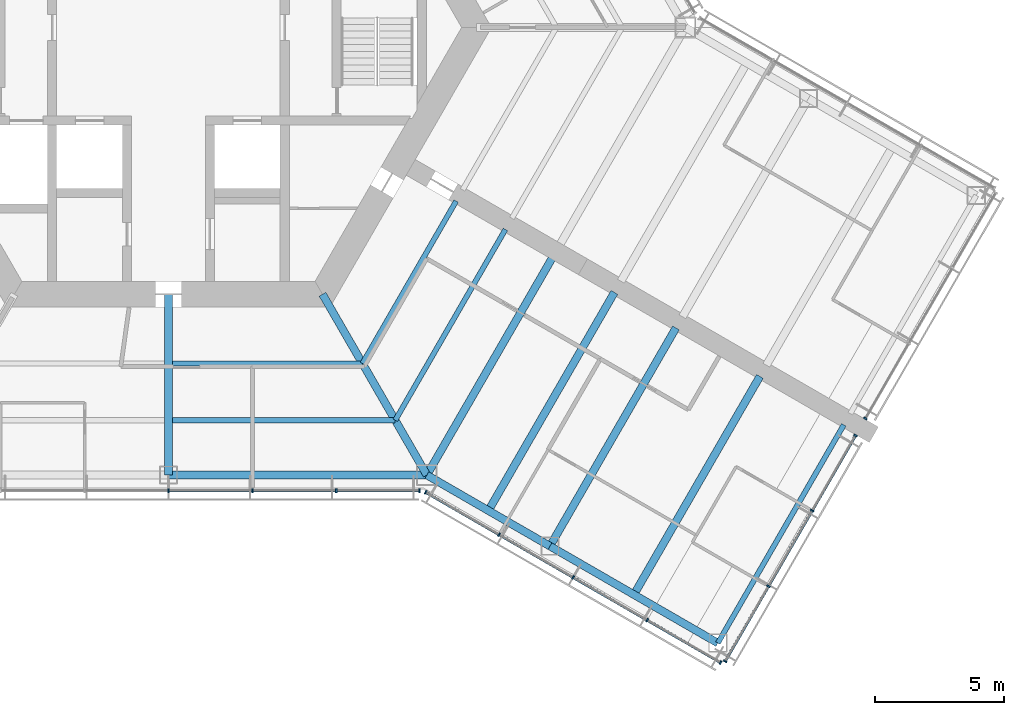
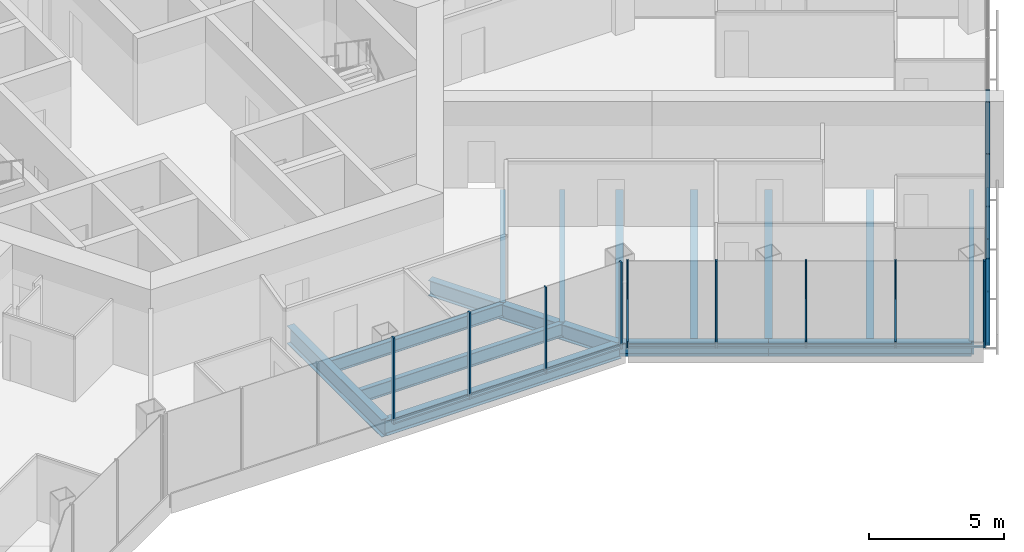
# One storey, part 5 of 18: 24 members, 14 beams, 4 elements without a shape of their own.
"""IFC4 building model written with IfcOpenShell, lengths in metres."""

import ifcopenshell
import ifcopenshell.guid

model = None  # the IFC model being written
_history = None  # IfcOwnerHistory: only IFC2X3 demands one
_inside = {}  # id of a spatial element -> (the spatial element, [elements in it])
_under = {}  # id of a project, library or spatial element -> (it, [spatial elements below it])
_declared = {}  # id of a project -> (the project, [libraries it declares])
_typed = {}  # id of a type object -> (the type object, [elements of that type])
_made_of = {}  # id of a material, layer set ... -> (it, [elements and type objects made of it])


def new_model(schema):
    """Start an empty IFC model of exactly this schema.

    Asked for "IFC4X3", IfcOpenShell would pick the latest addendum, in which some entities
    have other attributes; the version numbers below select the first issue.
    IFC2X3 requires an IfcOwnerHistory on every rooted entity: one is made here for all.
    """
    global model, _history
    if schema == "IFC4X3":
        model = ifcopenshell.file(schema_version=(4, 3, 0, 0))
    else:
        model = ifcopenshell.file(schema=schema)
    _inside.clear()
    _under.clear()
    _declared.clear()
    _typed.clear()
    _made_of.clear()
    _history = None
    if model.schema == "IFC2X3":
        org = make("IfcOrganization", Name="unknown")
        user = make(
            "IfcPersonAndOrganization",
            ThePerson=make("IfcPerson", FamilyName="unknown"),
            TheOrganization=org,
        )
        app = make(
            "IfcApplication",
            ApplicationDeveloper=org,
            Version="unknown",
            ApplicationFullName="unknown",
            ApplicationIdentifier="unknown",
        )
        _history = make(
            "IfcOwnerHistory",
            OwningUser=user,
            OwningApplication=app,
            ChangeAction="ADDED",
            CreationDate=0,
        )
    return model


def make(cls, **values):
    """One entity of the class cls with the attributes given. An attribute that is None is left unset."""
    return model.create_entity(
        cls, **{name: value for name, value in values.items() if value is not None}
    )


def rooted(cls, **values):
    """An entity with a GlobalId (a new one), such as an element, a storey or a relation."""
    return make(cls, GlobalId=ifcopenshell.guid.new(), OwnerHistory=_history, **values)


def si_unit(unit_type, name, prefix=None):
    """IfcSIUnit, for example si_unit("LENGTHUNIT", "METRE", prefix="MILLI")."""
    return make("IfcSIUnit", UnitType=unit_type, Prefix=prefix, Name=name)


def assignment(units):
    """IfcUnitAssignment: the units of a project."""
    return None if units is None else make("IfcUnitAssignment", Units=units)


def point(xyz):
    """IfcCartesianPoint."""
    return None if xyz is None else make("IfcCartesianPoint", Coordinates=xyz)


def direction(xyz):
    """IfcDirection."""
    return None if xyz is None else make("IfcDirection", DirectionRatios=xyz)


def frame(location, z_axis=None, x_axis=None):
    """IfcAxis2Placement3D, a coordinate frame: its origin and axes. An axis left out is left unset."""
    return make(
        "IfcAxis2Placement3D",
        Location=point(location),
        Axis=direction(z_axis),
        RefDirection=direction(x_axis),
    )


def frame_2d(location, x_axis=None):
    """IfcAxis2Placement2D, a coordinate frame in the plane: its origin and x axis."""
    return make(
        "IfcAxis2Placement2D", Location=point(location), RefDirection=direction(x_axis)
    )


def origin():
    """The frame at (0, 0, 0) with its axes left unset."""
    return frame((0.0, 0.0, 0.0))


def origin_2d():
    """The frame at (0, 0) in the plane with its x axis left unset."""
    return frame_2d((0.0, 0.0))


def place(relative_to, where):
    """IfcLocalPlacement: puts the frame where relative to a parent placement (None: the world)."""
    return make(
        "IfcLocalPlacement", PlacementRelTo=relative_to, RelativePlacement=where
    )


def context(
    kind, dimensions, precision=None, world=None, true_north=None, identifier=None
):
    """IfcGeometricRepresentationContext, for example the 3D "Model" context."""
    return make(
        "IfcGeometricRepresentationContext",
        ContextIdentifier=identifier,
        ContextType=kind,
        CoordinateSpaceDimension=dimensions,
        Precision=precision,
        WorldCoordinateSystem=world,
        TrueNorth=true_north,
    )


def subcontext(parent, identifier, kind, view, scale=None):
    """IfcGeometricRepresentationSubContext, for example "Body" below "Model"."""
    return make(
        "IfcGeometricRepresentationSubContext",
        ContextIdentifier=identifier,
        ContextType=kind,
        ParentContext=parent,
        TargetScale=scale,
        TargetView=view,
    )


def project(units=None, contexts=None):
    """IfcProject with its units and contexts."""
    return rooted(
        "IfcProject",
        Name="project",
        RepresentationContexts=contexts,
        UnitsInContext=assignment(units),
    )


def spatial(cls, under=None, at=None, **own):
    """A site, building, storey or space (cls), placed at a placement, below another one or the project."""
    s = rooted(cls, ObjectPlacement=at, **own)
    if under is not None:
        _under.setdefault(under.id(), (under, []))[1].append(s)
    return s


def profile(cls, at=None, kind="AREA", **sizes):
    """A parametric profile (cls). Its sizes go by their IFC names, for example OverallWidth=200.0."""
    return make(cls, ProfileType=kind, Position=at, **sizes)


def rectangle(**sizes):
    """IfcRectangleProfileDef."""
    return profile("IfcRectangleProfileDef", **sizes)


def i_section(**sizes):
    """IfcIShapeProfileDef."""
    return profile("IfcIShapeProfileDef", **sizes)


def extrude(swept, where, along, depth):
    """IfcExtrudedAreaSolid: the profile swept, set in the frame where, extruded along a direction by depth."""
    return make(
        "IfcExtrudedAreaSolid",
        SweptArea=swept,
        Position=where,
        ExtrudedDirection=direction(along),
        Depth=depth,
    )


def shape(context_of_items, identifier, shape_type, items):
    """IfcShapeRepresentation: the items that make up one representation, for example the "Body"."""
    return make(
        "IfcShapeRepresentation",
        ContextOfItems=context_of_items,
        RepresentationIdentifier=identifier,
        RepresentationType=shape_type,
        Items=items,
    )


def material(Name=None, Category=None):
    """IfcMaterial."""
    return make("IfcMaterial", Name=Name, Category=Category)


def material_profile(
    of_material, cross_section, Name=None, Category=None, Priority=None
):
    """IfcMaterialProfile: a cross section and its material."""
    return make(
        "IfcMaterialProfile",
        Name=Name,
        Material=of_material,
        Profile=cross_section,
        Priority=Priority,
        Category=Category,
    )


def profile_set(profiles, Name=None, composite=None):
    """IfcMaterialProfileSet."""
    return make(
        "IfcMaterialProfileSet",
        Name=Name,
        MaterialProfiles=profiles,
        CompositeProfile=composite,
    )


def made_of(thing, what):
    """Note that an element or type object is made of a material, layer set ...; save() writes the relation."""
    if what is not None:
        _made_of.setdefault(what.id(), (what, []))[1].append(thing)
    return thing


def type_object(cls, material=None, **own):
    """A type object (cls), such as IfcWallType, which elements share."""
    return made_of(rooted(cls, **own), material)


def element(
    cls,
    number,
    at=None,
    inside=None,
    cuts=None,
    type_object=None,
    material=None,
    context=None,
    identifier="Body",
    shape_type=None,
    held_by="IfcProductDefinitionShape",
    body=None,
    shapes=None,
    **own,
):
    """One element of the class cls, such as IfcWall. Its Tag is "e" and its number.

    at: its placement. inside: the storey or other place that contains it. cuts: it is an
    opening in that element (IfcRelVoidsElement). A single representation is given by context,
    identifier, shape_type and body (its items); several are given by shapes. held_by: the class
    of the entity that holds the representations. save() writes the other relations.
    """
    e = rooted(cls, Tag="e%d" % number, ObjectPlacement=at, **own)
    if body is not None:
        shapes = [shape(context, identifier, shape_type, body)]
    if shapes is not None:
        e.Representation = make(held_by, Representations=shapes)
    if inside is not None:
        _inside.setdefault(inside.id(), (inside, []))[1].append(e)
    if cuts is not None:
        rooted(
            "IfcRelVoidsElement", RelatingBuildingElement=cuts, RelatedOpeningElement=e
        )
    if type_object is not None:
        _typed.setdefault(type_object.id(), (type_object, []))[1].append(e)
    return made_of(e, material)


def aggregate(whole, parts):
    """IfcRelAggregates: a whole, such as a stair, and the parts it consists of."""
    return rooted("IfcRelAggregates", RelatingObject=whole, RelatedObjects=parts)


def save(model, path):
    """Write the relations noted so far, then the file.

    IfcRelAggregates (storeys below a building ...), IfcRelContainedInSpatialStructure (elements
    in a storey), IfcRelDefinesByType, IfcRelAssociatesMaterial and IfcRelDeclares: one each for
    every whole, place, type object, material and project.
    """
    for whole, parts in _under.values():
        aggregate(whole, parts)
    for where, things in _inside.values():
        rooted(
            "IfcRelContainedInSpatialStructure",
            RelatedElements=things,
            RelatingStructure=where,
        )
    for kind, things in _typed.values():
        rooted("IfcRelDefinesByType", RelatedObjects=things, RelatingType=kind)
    for what, things in _made_of.values():
        rooted("IfcRelAssociatesMaterial", RelatedObjects=things, RelatingMaterial=what)
    for by, libraries in _declared.values():
        rooted("IfcRelDeclares", RelatingContext=by, RelatedDefinitions=libraries)
    model.write(path)


model = new_model("IFC4")

# Units and contexts
model_context = context("Model", 3, precision=1e-05, world=origin(), true_north=direction((0.0, 1.0)))
body_context = subcontext(model_context, "Body", "Model", "MODEL_VIEW")
ifc_project = project(units=[si_unit("LENGTHUNIT", "METRE"), si_unit("AREAUNIT", "SQUARE_METRE"), si_unit("VOLUMEUNIT", "CUBIC_METRE"), si_unit("PLANEANGLEUNIT", "RADIAN"), si_unit("MASSUNIT", "GRAM", prefix="KILO")], contexts=[model_context])

# Site, building, storey
site_placement = place(None, origin())
site = spatial("IfcSite", under=ifc_project, at=site_placement, CompositionType="ELEMENT")
building_placement = place(site_placement, origin())
building = spatial("IfcBuilding", under=site, at=building_placement, Name="Kasaneha Research Tower", CompositionType="ELEMENT")
storey_placement = place(building_placement, frame((0.0, 0.0, 176.0)))
storey = spatial("IfcBuildingStorey", under=building, at=storey_placement, Name="L44", CompositionType="ELEMENT", Elevation=176.0)

# Beams
ifc_material_1 = material(Name="Steel SN490B", Category="steel")
ifc_material_profile_1 = material_profile(ifc_material_1, i_section(OverallWidth=0.199951171875, OverallDepth=0.60009765625, WebThickness=0.010986328125, FlangeThickness=0.01708984375, FilletRadius=0.012939453125, at=origin_2d()), Name="H-600x200x11x17")
ifc_profile_set_1 = profile_set([ifc_material_profile_1], Name="Steel SN490B")
beam_type_1 = type_object("IfcBeamType", Name="B1-3 secondary beam H-600x200x11x17", PredefinedType="JOIST", material=ifc_profile_set_1)
beam_1_placement = place(storey_placement, frame((7.505615234375, -13.0, -0.449951171875), z_axis=(-1.0, 0.0, 0.0), x_axis=(0.0, -1.0, 0.0)))
element("IfcBeam", 1, at=beam_1_placement, inside=storey, type_object=beam_type_1, Name="Secondary beam RS270R1 L44", PredefinedType="JOIST", context=body_context, shape_type="SweptSolid", body=[
    extrude(i_section(OverallWidth=0.199951171875, OverallDepth=0.60009765625, WebThickness=0.010986328125, FlangeThickness=0.01708984375, FilletRadius=0.012939453125, at=origin_2d()), origin(), (0.0, 0.0, 1.0), 7.355712890625),
])
beam_2_placement = place(storey_placement, frame((8.775634765625, -15.199951171875, -0.449951171875), z_axis=(-1.0, 0.0, 0.0), x_axis=(0.0, -1.0, 0.0)))
element("IfcBeam", 2, at=beam_2_placement, inside=storey, type_object=beam_type_1, Name="Secondary beam RS270R2 L44", PredefinedType="JOIST", context=body_context, shape_type="SweptSolid", body=[
    extrude(i_section(OverallWidth=0.199951171875, OverallDepth=0.60009765625, WebThickness=0.010986328125, FlangeThickness=0.01708984375, FilletRadius=0.012939453125, at=origin_2d()), origin(), (0.0, 0.0, 1.0), 8.625732421875),
])
beam_3_placement = place(storey_placement, frame((7.505615234375, -13.0, -0.449951171875), z_axis=(0.499993340521, 0.866029248602, 0.0), x_axis=(-0.866029248602, 0.499993340521, 0.0)))
element("IfcBeam", 3, at=beam_3_placement, inside=storey, type_object=beam_type_1, Name="Secondary beam RS330L1 L44", PredefinedType="JOIST", context=body_context, shape_type="SweptSolid", body=[
    extrude(i_section(OverallWidth=0.199951171875, OverallDepth=0.60009765625, WebThickness=0.010986328125, FlangeThickness=0.01708984375, FilletRadius=0.012939453125, at=origin_2d()), origin(), (0.0, 0.0, 1.0), 7.25537109375),
])
beam_4_placement = place(storey_placement, frame((8.775634765625, -15.199951171875, -0.449951171875), z_axis=(0.500004205306, 0.866022975836, 0.0), x_axis=(-0.866022975836, 0.500004205306, 0.0)))
element("IfcBeam", 4, at=beam_4_placement, inside=storey, type_object=beam_type_1, Name="Secondary beam RS330L2 L44", PredefinedType="JOIST", context=body_context, shape_type="SweptSolid", body=[
    extrude(i_section(OverallWidth=0.199951171875, OverallDepth=0.60009765625, WebThickness=0.010986328125, FlangeThickness=0.01708984375, FilletRadius=0.012939453125, at=origin_2d()), origin(), (0.0, 0.0, 1.0), 8.52587890625),
])
ifc_material_2 = material(Name="Steel SN490B", Category="steel")
ifc_material_profile_2 = material_profile(ifc_material_2, i_section(OverallWidth=0.300048828125, OverallDepth=0.58203125, WebThickness=0.011962890625, FlangeThickness=0.01708984375, FilletRadius=0.012939453125, at=origin_2d()), Name="H-582x300x12x17")
ifc_profile_set_2 = profile_set([ifc_material_profile_2], Name="Steel SN490B")
beam_type_2 = type_object("IfcBeamType", Name="B2-3 secondary beam H-582x300x12x17", PredefinedType="JOIST", material=ifc_profile_set_2)
for number, where, z_axis, x_axis, name in (
    (5, (12.381591796875, -18.695556640625, -0.44091796875), (0.499995560238, 0.866027967067, 0.0), (-0.866027967067, 0.499995560238, 0.0), "Secondary beam WBCP1 L44"),
    (6, (18.0107421875, -21.945556640625, -0.44091796875), (0.499995560238, 0.866027967067, 0.0), (-0.866027967067, 0.499995560238, 0.0), "Secondary beam WBCP2 L44"),
):
    element("IfcBeam", number, at=place(storey_placement, frame(where, z_axis=z_axis, x_axis=x_axis)), inside=storey, type_object=beam_type_2, Name=name, PredefinedType="JOIST", context=body_context, shape_type="SweptSolid", body=[
        extrude(i_section(OverallWidth=0.300048828125, OverallDepth=0.58203125, WebThickness=0.011962890625, FlangeThickness=0.01708984375, FilletRadius=0.012939453125, at=origin_2d()), origin(), (0.0, 0.0, 1.0), 9.75),
    ])

# Curtain wall, members
ifc_material_3 = material(Name="Glass and aluminium", Category="aluminium")
curtain_wall_type = type_object("IfcCurtainWallType", Name="Mid-rise office curtain wall", PredefinedType="USERDEFINED", material=ifc_material_3)
curtain_wall_1_placement = place(storey_placement, origin())
curtain_wall_1 = element("IfcCurtainWall", 7, at=curtain_wall_1_placement, inside=storey, type_object=curtain_wall_type, Name="CW-O2 L44 run 01a", ObjectType="UNITISED CURTAIN WALL", PredefinedType="USERDEFINED")
ifc_material_4 = material(Name="Aluminium 6063-T6", Category="aluminium")
ifc_material_profile_3 = material_profile(ifc_material_4, rectangle(XDim=0.06005859375, YDim=0.14990234375, at=origin_2d()), Name="CW-O2 mullion 60x150")
ifc_profile_set_3 = profile_set([ifc_material_profile_3], Name="Aluminium 6063-T6")
member_type_1 = type_object("IfcMemberType", Name="CW-O2 mullion", PredefinedType="MULLION", material=ifc_profile_set_3)
member_1_placement = place(storey_placement, frame((0.0, -17.92041015625, 0.0), z_axis=(0.0, 0.0, 1.0), x_axis=(1.0, 0.0, 0.0)))
member_1 = element("IfcMember", 8, at=member_1_placement, type_object=member_type_1, Name="CW-O2 mullion 4", PredefinedType="MULLION", context=body_context, shape_type="SweptSolid", body=[
    extrude(rectangle(XDim=0.06005859375, YDim=0.14990234375, at=origin_2d()), origin(), (0.0, 0.0, 1.0), 3.89990234375),
])
member_2_placement = place(storey_placement, frame((3.246337890625, -17.92041015625, 0.0), z_axis=(0.0, 0.0, 1.0), x_axis=(1.0, 0.0, 0.0)))
member_2 = element("IfcMember", 9, at=member_2_placement, type_object=member_type_1, Name="CW-O2 mullion 5", PredefinedType="MULLION", context=body_context, shape_type="SweptSolid", body=[
    extrude(rectangle(XDim=0.06005859375, YDim=0.14990234375, at=origin_2d()), origin(), (0.0, 0.0, 1.0), 3.89990234375),
])
member_3_placement = place(storey_placement, frame((6.492919921875, -17.92041015625, 0.0), z_axis=(0.0, 0.0, 1.0), x_axis=(1.0, 0.0, 0.0)))
member_3 = element("IfcMember", 10, at=member_3_placement, type_object=member_type_1, Name="CW-O2 mullion 6", PredefinedType="MULLION", context=body_context, shape_type="SweptSolid", body=[
    extrude(rectangle(XDim=0.06005859375, YDim=0.14990234375, at=origin_2d()), origin(), (0.0, 0.0, 1.0), 3.89990234375),
])
member_4_placement = place(storey_placement, frame((9.709228515625, -17.92041015625, 0.0), z_axis=(0.0, 0.0, 1.0), x_axis=(1.0, 0.0, 0.0)))
member_4 = element("IfcMember", 11, at=member_4_placement, type_object=member_type_1, Name="CW-O2 mullion 7", PredefinedType="MULLION", context=body_context, shape_type="SweptSolid", body=[
    extrude(rectangle(XDim=0.06005859375, YDim=0.14990234375, at=origin_2d()), origin(), (0.0, 0.0, 1.0), 3.89990234375),
])

curtain_wall_2_placement = place(storey_placement, origin())
curtain_wall_2 = element("IfcCurtainWall", 12, at=curtain_wall_2_placement, inside=storey, type_object=curtain_wall_type, Name="CW-O2 L44 run 02a", ObjectType="UNITISED CURTAIN WALL", PredefinedType="USERDEFINED")
member_5_placement = place(storey_placement, frame((9.951904296875, -17.985595703125, 0.0), z_axis=(0.0, 0.0, 1.0), x_axis=(0.866025411464, -0.499999986699, 0.0)))
member_5 = element("IfcMember", 13, at=member_5_placement, type_object=member_type_1, Name="CW-O2 mullion 1", PredefinedType="MULLION", context=body_context, shape_type="SweptSolid", body=[
    extrude(rectangle(XDim=0.06005859375, YDim=0.14990234375, at=origin_2d()), origin(), (0.0, 0.0, 1.0), 3.89990234375),
])
member_6_placement = place(storey_placement, frame((12.792236328125, -19.62548828125, 0.0), z_axis=(0.0, 0.0, 1.0), x_axis=(0.866025411464, -0.499999986699, 0.0)))
member_6 = element("IfcMember", 14, at=member_6_placement, type_object=member_type_1, Name="CW-O2 mullion 2", PredefinedType="MULLION", context=body_context, shape_type="SweptSolid", body=[
    extrude(rectangle(XDim=0.06005859375, YDim=0.14990234375, at=origin_2d()), origin(), (0.0, 0.0, 1.0), 3.89990234375),
])
member_7_placement = place(storey_placement, frame((15.65869140625, -21.2802734375, 0.0), z_axis=(0.0, 0.0, 1.0), x_axis=(0.866025411464, -0.499999986699, 0.0)))
member_7 = element("IfcMember", 15, at=member_7_placement, type_object=member_type_1, Name="CW-O2 mullion 3", PredefinedType="MULLION", context=body_context, shape_type="SweptSolid", body=[
    extrude(rectangle(XDim=0.06005859375, YDim=0.14990234375, at=origin_2d()), origin(), (0.0, 0.0, 1.0), 3.89990234375),
])
member_8_placement = place(storey_placement, frame((18.52490234375, -22.935302734375, 0.0), z_axis=(0.0, 0.0, 1.0), x_axis=(0.866025411464, -0.499999986699, 0.0)))
member_8 = element("IfcMember", 16, at=member_8_placement, type_object=member_type_1, Name="CW-O2 mullion 4", PredefinedType="MULLION", context=body_context, shape_type="SweptSolid", body=[
    extrude(rectangle(XDim=0.06005859375, YDim=0.14990234375, at=origin_2d()), origin(), (0.0, 0.0, 1.0), 3.89990234375),
])
member_9_placement = place(storey_placement, frame((21.365478515625, -24.5751953125, 0.0), z_axis=(0.0, 0.0, 1.0), x_axis=(0.866025411464, -0.499999986699, 0.0)))
member_9 = element("IfcMember", 17, at=member_9_placement, type_object=member_type_1, Name="CW-O2 mullion 5", PredefinedType="MULLION", context=body_context, shape_type="SweptSolid", body=[
    extrude(rectangle(XDim=0.06005859375, YDim=0.14990234375, at=origin_2d()), origin(), (0.0, 0.0, 1.0), 3.89990234375),
])

curtain_wall_3_placement = place(storey_placement, origin())
curtain_wall_3 = element("IfcCurtainWall", 18, at=curtain_wall_3_placement, inside=storey, type_object=curtain_wall_type, Name="CW-O2 L44 run 03a", ObjectType="UNITISED CURTAIN WALL", PredefinedType="USERDEFINED")
member_10_placement = place(storey_placement, frame((21.54296875, -24.527587890625, 0.0), z_axis=(0.0, 0.0, 1.0), x_axis=(0.500000011442, 0.866025397178, 0.0)))
member_10 = element("IfcMember", 19, at=member_10_placement, type_object=member_type_1, Name="CW-O2 mullion 1", PredefinedType="MULLION", context=body_context, shape_type="SweptSolid", body=[
    extrude(rectangle(XDim=0.06005859375, YDim=0.14990234375, at=origin_2d()), origin(), (0.0, 0.0, 1.0), 3.89990234375),
])
member_11_placement = place(storey_placement, frame((23.2197265625, -21.62353515625, 0.0), z_axis=(0.0, 0.0, 1.0), x_axis=(0.500000011442, 0.866025397178, 0.0)))
member_11 = element("IfcMember", 20, at=member_11_placement, type_object=member_type_1, Name="CW-O2 mullion 2", PredefinedType="MULLION", context=body_context, shape_type="SweptSolid", body=[
    extrude(rectangle(XDim=0.06005859375, YDim=0.14990234375, at=origin_2d()), origin(), (0.0, 0.0, 1.0), 3.89990234375),
])
member_12_placement = place(storey_placement, frame((24.911376953125, -18.693359375, 0.0), z_axis=(0.0, 0.0, 1.0), x_axis=(0.500000011442, 0.866025397178, 0.0)))
member_12 = element("IfcMember", 21, at=member_12_placement, type_object=member_type_1, Name="CW-O2 mullion 3", PredefinedType="MULLION", context=body_context, shape_type="SweptSolid", body=[
    extrude(rectangle(XDim=0.06005859375, YDim=0.14990234375, at=origin_2d()), origin(), (0.0, 0.0, 1.0), 3.89990234375),
])
member_13_placement = place(storey_placement, frame((26.587890625, -15.789306640625, 0.0), z_axis=(0.0, 0.0, 1.0), x_axis=(0.500000011442, 0.866025397178, 0.0)))
member_13 = element("IfcMember", 22, at=member_13_placement, type_object=member_type_1, Name="CW-O2 mullion 4", PredefinedType="MULLION", context=body_context, shape_type="SweptSolid", body=[
    extrude(rectangle(XDim=0.06005859375, YDim=0.14990234375, at=origin_2d()), origin(), (0.0, 0.0, 1.0), 3.89990234375),
])

# Curtain wall, member
curtain_wall_4_placement = place(storey_placement, origin())
curtain_wall_4 = element("IfcCurtainWall", 23, at=curtain_wall_4_placement, inside=storey, type_object=curtain_wall_type, Name="CW-O2 L44 run 04a", ObjectType="UNITISED CURTAIN WALL", PredefinedType="USERDEFINED")
member_14_placement = place(storey_placement, frame((26.968017578125, -15.131103515625, 0.0), z_axis=(0.0, 0.0, 1.0), x_axis=(0.500000011442, 0.866025397178, 0.0)))
member_14 = element("IfcMember", 24, at=member_14_placement, type_object=member_type_1, Name="CW-O2 mullion 1", PredefinedType="MULLION", context=body_context, shape_type="SweptSolid", body=[
    extrude(rectangle(XDim=0.06005859375, YDim=0.14990234375, at=origin_2d()), origin(), (0.0, 0.0, 1.0), 3.89990234375),
])
aggregate(curtain_wall_4, [member_14])

# Member
ifc_material_5 = material(Name="Aluminium 6063-T6", Category="aluminium")
ifc_material_profile_4 = material_profile(ifc_material_5, rectangle(XDim=0.110107421875, YDim=0.06005859375, at=origin_2d()), Name="CW-O2 transom 110x60")
ifc_profile_set_4 = profile_set([ifc_material_profile_4], Name="Aluminium 6063-T6")
member_type_2 = type_object("IfcMemberType", Name="CW-O2 transom", PredefinedType="USERDEFINED", material=ifc_profile_set_4)
member_15_placement = place(storey_placement, frame((0.030029296875, -17.92041015625, 0.030029296875), z_axis=(1.0, 0.0, 0.0), x_axis=(0.0, 1.0, 0.0)))
member_15 = element("IfcMember", 25, at=member_15_placement, type_object=member_type_2, Name="CW-O2 transom 4", ObjectType="TRANSOM", PredefinedType="USERDEFINED", context=body_context, shape_type="SweptSolid", body=[
    extrude(rectangle(XDim=0.110107421875, YDim=0.06005859375, at=origin_2d()), origin(), (0.0, 0.0, 1.0), 3.186279296875),
])

member_16_placement = place(storey_placement, frame((3.2763671875, -17.92041015625, 0.030029296875), z_axis=(1.0, 0.0, 0.0), x_axis=(0.0, 1.0, 0.0)))
member_16 = element("IfcMember", 26, at=member_16_placement, type_object=member_type_2, Name="CW-O2 transom 5", ObjectType="TRANSOM", PredefinedType="USERDEFINED", context=body_context, shape_type="SweptSolid", body=[
    extrude(rectangle(XDim=0.110107421875, YDim=0.06005859375, at=origin_2d()), origin(), (0.0, 0.0, 1.0), 3.1865234375),
])

member_17_placement = place(storey_placement, frame((6.522705078125, -17.92041015625, 0.030029296875), z_axis=(1.0, 0.0, 0.0), x_axis=(0.0, 1.0, 0.0)))
member_17 = element("IfcMember", 27, at=member_17_placement, type_object=member_type_2, Name="CW-O2 transom 6", ObjectType="TRANSOM", PredefinedType="USERDEFINED", context=body_context, shape_type="SweptSolid", body=[
    extrude(rectangle(XDim=0.110107421875, YDim=0.06005859375, at=origin_2d()), origin(), (0.0, 0.0, 1.0), 3.156494140625),
])

aggregate(curtain_wall_1, [member_1, member_2, member_3, member_4, member_15, member_16, member_17])

member_18_placement = place(storey_placement, frame((9.977783203125, -18.00048828125, 0.030029296875), z_axis=(0.866022692473, -0.500004696101, 0.0), x_axis=(0.500004696101, 0.866022692473, 0.0)))
member_18 = element("IfcMember", 28, at=member_18_placement, type_object=member_type_2, Name="CW-O2 transom 1", ObjectType="TRANSOM", PredefinedType="USERDEFINED", context=body_context, shape_type="SweptSolid", body=[
    extrude(rectangle(XDim=0.110107421875, YDim=0.06005859375, at=origin_2d()), origin(), (0.0, 0.0, 1.0), 3.2197265625),
])

member_19_placement = place(storey_placement, frame((12.818115234375, -19.640380859375, 0.030029296875), z_axis=(0.866015446554, -0.500017246033, 0.0), x_axis=(0.500017246033, 0.866015446554, 0.0)))
member_19 = element("IfcMember", 29, at=member_19_placement, type_object=member_type_2, Name="CW-O2 transom 2", ObjectType="TRANSOM", PredefinedType="USERDEFINED", context=body_context, shape_type="SweptSolid", body=[
    extrude(rectangle(XDim=0.110107421875, YDim=0.06005859375, at=origin_2d()), origin(), (0.0, 0.0, 1.0), 3.25),
])

member_20_placement = place(storey_placement, frame((15.6845703125, -21.29541015625, 0.030029296875), z_axis=(0.86604797581, -0.499960902066, 0.0), x_axis=(0.499960902066, 0.86604797581, 0.0)))
member_20 = element("IfcMember", 30, at=member_20_placement, type_object=member_type_2, Name="CW-O2 transom 3", ObjectType="TRANSOM", PredefinedType="USERDEFINED", context=body_context, shape_type="SweptSolid", body=[
    extrude(rectangle(XDim=0.110107421875, YDim=0.06005859375, at=origin_2d()), origin(), (0.0, 0.0, 1.0), 3.249755859375),
])

member_21_placement = place(storey_placement, frame((18.551025390625, -22.9501953125, 0.030029296875), z_axis=(0.866022692473, -0.500004696101, 0.0), x_axis=(0.500004696101, 0.866022692473, 0.0)))
member_21 = element("IfcMember", 31, at=member_21_placement, type_object=member_type_2, Name="CW-O2 transom 4", ObjectType="TRANSOM", PredefinedType="USERDEFINED", context=body_context, shape_type="SweptSolid", body=[
    extrude(rectangle(XDim=0.110107421875, YDim=0.06005859375, at=origin_2d()), origin(), (0.0, 0.0, 1.0), 3.2197265625),
])

aggregate(curtain_wall_2, [member_5, member_6, member_7, member_8, member_9, member_18, member_19, member_20, member_21])

member_22_placement = place(storey_placement, frame((21.557861328125, -24.50146484375, 0.030029296875), z_axis=(0.500021914551, 0.866012751043, 0.0), x_axis=(-0.866012751043, 0.500021914551, 0.0)))
member_22 = element("IfcMember", 32, at=member_22_placement, type_object=member_type_2, Name="CW-O2 transom 1", ObjectType="TRANSOM", PredefinedType="USERDEFINED", context=body_context, shape_type="SweptSolid", body=[
    extrude(rectangle(XDim=0.110107421875, YDim=0.06005859375, at=origin_2d()), origin(), (0.0, 0.0, 1.0), 3.293212890625),
])

member_23_placement = place(storey_placement, frame((23.234619140625, -21.597412109375, 0.030029296875), z_axis=(0.500010745865, 0.866019199568, 0.0), x_axis=(-0.866019199568, 0.500010745865, 0.0)))
member_23 = element("IfcMember", 33, at=member_23_placement, type_object=member_type_2, Name="CW-O2 transom 2", ObjectType="TRANSOM", PredefinedType="USERDEFINED", context=body_context, shape_type="SweptSolid", body=[
    extrude(rectangle(XDim=0.110107421875, YDim=0.06005859375, at=origin_2d()), origin(), (0.0, 0.0, 1.0), 3.3232421875),
])

member_24_placement = place(storey_placement, frame((24.92626953125, -18.66748046875, 0.030029296875), z_axis=(0.500021914551, 0.866012751043, 0.0), x_axis=(-0.866012751043, 0.500021914551, 0.0)))
member_24 = element("IfcMember", 34, at=member_24_placement, type_object=member_type_2, Name="CW-O2 transom 3", ObjectType="TRANSOM", PredefinedType="USERDEFINED", context=body_context, shape_type="SweptSolid", body=[
    extrude(rectangle(XDim=0.110107421875, YDim=0.06005859375, at=origin_2d()), origin(), (0.0, 0.0, 1.0), 3.293212890625),
])

aggregate(curtain_wall_3, [member_10, member_11, member_12, member_13, member_22, member_23, member_24])

# Beams
ifc_material_6 = material(Name="Steel SN490B", Category="steel")
ifc_material_profile_5 = material_profile(ifc_material_6, i_section(OverallWidth=0.300048828125, OverallDepth=0.699951171875, WebThickness=0.012939453125, FlangeThickness=0.02392578125, FilletRadius=0.01806640625, at=origin_2d()), Name="H-700x300x13x24")
ifc_profile_set_5 = profile_set([ifc_material_profile_5], Name="Steel SN490B")
beam_type_3 = type_object("IfcBeamType", Name="G1-3 radial girder H-700x300x13x24", PredefinedType="BEAM", material=ifc_profile_set_5)
beam_5_placement = place(storey_placement, frame((5.961181640625, -10.324951171875, -0.5), z_axis=(0.49999105496, -0.866030568144, 0.0), x_axis=(0.866030568144, 0.49999105496, 0.0)))
element("IfcBeam", 35, at=beam_5_placement, inside=storey, type_object=beam_type_3, Name="Radial girder RV300 L44", PredefinedType="BEAM", context=body_context, shape_type="SweptSolid", body=[
    extrude(i_section(OverallWidth=0.300048828125, OverallDepth=0.699951171875, WebThickness=0.012939453125, FlangeThickness=0.02392578125, FilletRadius=0.01806640625, at=origin_2d()), origin(), (0.0, 0.0, 1.0), 8.077880859375),
])
ifc_material_7 = material(Name="Steel SN490B", Category="steel")
ifc_material_profile_6 = material_profile(ifc_material_7, i_section(OverallWidth=0.300048828125, OverallDepth=0.800048828125, WebThickness=0.013916015625, FlangeThickness=0.02587890625, FilletRadius=0.01806640625, at=origin_2d()), Name="H-800x300x14x26")
ifc_profile_set_6 = profile_set([ifc_material_profile_6], Name="Steel SN490B")
beam_type_4 = type_object("IfcBeamType", Name="G2-3 radial girder H-800x300x14x26", PredefinedType="BEAM", material=ifc_profile_set_6)
beam_6_placement = place(storey_placement, frame((0.0, -10.324951171875, -0.550048828125), z_axis=(0.0, -1.0, 0.0), x_axis=(1.0, 0.0, 0.0)))
element("IfcBeam", 36, at=beam_6_placement, inside=storey, type_object=beam_type_4, Name="Radial girder RM270 L44", PredefinedType="BEAM", context=body_context, shape_type="SweptSolid", body=[
    extrude(i_section(OverallWidth=0.300048828125, OverallDepth=0.800048828125, WebThickness=0.013916015625, FlangeThickness=0.02587890625, FilletRadius=0.01806640625, at=origin_2d()), origin(), (0.0, 0.0, 1.0), 6.99560546875),
])
ifc_material_8 = material(Name="Steel SN490B", Category="steel")
ifc_material_profile_7 = material_profile(ifc_material_8, i_section(OverallWidth=0.300048828125, OverallDepth=0.69189453125, WebThickness=0.012939453125, FlangeThickness=0.02001953125, FilletRadius=0.01806640625, at=origin_2d()), Name="H-692x300x13x20")
ifc_profile_set_7 = profile_set([ifc_material_profile_7], Name="Steel SN490B")
beam_type_5 = type_object("IfcBeamType", Name="G3-3 plate edge girder H-692x300x13x20", PredefinedType="BEAM", material=ifc_profile_set_7)
beam_7_placement = place(storey_placement, frame((10.0, -17.320556640625, -0.49609375), z_axis=(0.499995560238, 0.866027967067, 0.0), x_axis=(-0.866027967067, 0.499995560238, 0.0)))
element("IfcBeam", 37, at=beam_7_placement, inside=storey, type_object=beam_type_5, Name="Plate edge girder PECP L44", PredefinedType="BEAM", context=body_context, shape_type="SweptSolid", body=[
    extrude(i_section(OverallWidth=0.300048828125, OverallDepth=0.69189453125, WebThickness=0.012939453125, FlangeThickness=0.02001953125, FilletRadius=0.01806640625, at=origin_2d()), origin(), (0.0, 0.0, 1.0), 9.75),
])
ifc_material_9 = material(Name="Steel SN490B", Category="steel")
ifc_material_profile_8 = material_profile(ifc_material_9, i_section(OverallWidth=0.300048828125, OverallDepth=0.699951171875, WebThickness=0.012939453125, FlangeThickness=0.02392578125, FilletRadius=0.01806640625, at=origin_2d()), Name="H-700x300x13x24")
ifc_profile_set_8 = profile_set([ifc_material_profile_8], Name="Steel SN490B")
beam_type_6 = type_object("IfcBeamType", Name="G4-3 wing girder H-700x300x13x24", PredefinedType="BEAM", material=ifc_profile_set_8)
beam_8_placement = place(storey_placement, frame((14.76318359375, -20.070556640625, -0.5), z_axis=(0.499995560238, 0.866027967067, 0.0), x_axis=(-0.866027967067, 0.499995560238, 0.0)))
element("IfcBeam", 38, at=beam_8_placement, inside=storey, type_object=beam_type_6, Name="Wing girder WGCP L44", PredefinedType="BEAM", context=body_context, shape_type="SweptSolid", body=[
    extrude(i_section(OverallWidth=0.300048828125, OverallDepth=0.699951171875, WebThickness=0.012939453125, FlangeThickness=0.02392578125, FilletRadius=0.01806640625, at=origin_2d()), origin(), (0.0, 0.0, 1.0), 9.75),
])
ifc_material_10 = material(Name="Steel SN490B", Category="steel")
ifc_material_profile_9 = material_profile(ifc_material_10, i_section(OverallWidth=0.300048828125, OverallDepth=0.69189453125, WebThickness=0.012939453125, FlangeThickness=0.02001953125, FilletRadius=0.01806640625, at=origin_2d()), Name="H-692x300x13x20")
ifc_profile_set_9 = profile_set([ifc_material_profile_9], Name="Steel SN490B")
beam_type_7 = type_object("IfcBeamType", Name="SB1-3 spandrel beam H-692x300x13x20", PredefinedType="SPANDREL", material=ifc_profile_set_9)
beam_9_placement = place(storey_placement, frame((10.0, -17.320556640625, -0.49609375), z_axis=(-1.0, 0.0, 0.0), x_axis=(0.0, -1.0, 0.0)))
element("IfcBeam", 39, at=beam_9_placement, inside=storey, type_object=beam_type_7, Name="Spandrel beam SR270R L44", PredefinedType="SPANDREL", context=body_context, shape_type="SweptSolid", body=[
    extrude(i_section(OverallWidth=0.300048828125, OverallDepth=0.69189453125, WebThickness=0.012939453125, FlangeThickness=0.02001953125, FilletRadius=0.01806640625, at=origin_2d()), origin(), (0.0, 0.0, 1.0), 10.0),
])
ifc_material_11 = material(Name="Steel SN490B", Category="steel")
ifc_material_profile_10 = material_profile(ifc_material_11, i_section(OverallWidth=0.300048828125, OverallDepth=0.58203125, WebThickness=0.011962890625, FlangeThickness=0.01708984375, FilletRadius=0.012939453125, at=origin_2d()), Name="H-582x300x12x17")
ifc_profile_set_10 = profile_set([ifc_material_profile_10], Name="Steel SN490B")
beam_type_8 = type_object("IfcBeamType", Name="SB2-3 spandrel beam H-582x300x12x17", PredefinedType="SPANDREL", material=ifc_profile_set_10)
beam_10_placement = place(storey_placement, frame((10.0, -17.320556640625, -0.44091796875), z_axis=(0.866027397988, -0.499996545922, 0.0), x_axis=(0.499996545922, 0.866027397988, 0.0)))
element("IfcBeam", 40, at=beam_10_placement, inside=storey, type_object=beam_type_8, Name="Spandrel beam WSCP1 L44", PredefinedType="SPANDREL", context=body_context, shape_type="SweptSolid", body=[
    extrude(i_section(OverallWidth=0.300048828125, OverallDepth=0.58203125, WebThickness=0.011962890625, FlangeThickness=0.01708984375, FilletRadius=0.012939453125, at=origin_2d()), origin(), (0.0, 0.0, 1.0), 5.5),
])
beam_11_placement = place(storey_placement, frame((14.76318359375, -20.070556640625, -0.44091796875), z_axis=(0.866022959057, -0.500004234368, 0.0), x_axis=(0.500004234368, 0.866022959057, 0.0)))
element("IfcBeam", 41, at=beam_11_placement, inside=storey, type_object=beam_type_8, Name="Spandrel beam WSCP2 L44", PredefinedType="SPANDREL", context=body_context, shape_type="SweptSolid", body=[
    extrude(i_section(OverallWidth=0.300048828125, OverallDepth=0.58203125, WebThickness=0.011962890625, FlangeThickness=0.01708984375, FilletRadius=0.012939453125, at=origin_2d()), origin(), (0.0, 0.0, 1.0), 7.5),
])
ifc_material_12 = material(Name="Steel SN490B", Category="steel")
ifc_material_profile_11 = material_profile(ifc_material_12, i_section(OverallWidth=0.199951171875, OverallDepth=0.60009765625, WebThickness=0.010986328125, FlangeThickness=0.01708984375, FilletRadius=0.012939453125, at=origin_2d()), Name="H-600x200x11x17")
ifc_profile_set_11 = profile_set([ifc_material_profile_11], Name="Steel SN490B")
beam_type_9 = type_object("IfcBeamType", Name="SB3-3 spandrel beam H-600x200x11x17", PredefinedType="SPANDREL", material=ifc_profile_set_11)
beam_12_placement = place(storey_placement, frame((21.25830078125, -23.820556640625, -0.449951171875), z_axis=(0.499995560238, 0.866027967067, 0.0), x_axis=(-0.866027967067, 0.499995560238, 0.0)))
element("IfcBeam", 42, at=beam_12_placement, inside=storey, type_object=beam_type_9, Name="Spandrel beam WTCP L44", PredefinedType="SPANDREL", context=body_context, shape_type="SweptSolid", body=[
    extrude(i_section(OverallWidth=0.199951171875, OverallDepth=0.60009765625, WebThickness=0.010986328125, FlangeThickness=0.01708984375, FilletRadius=0.012939453125, at=origin_2d()), origin(), (0.0, 0.0, 1.0), 9.75),
])

save(model, "model.ifc")
